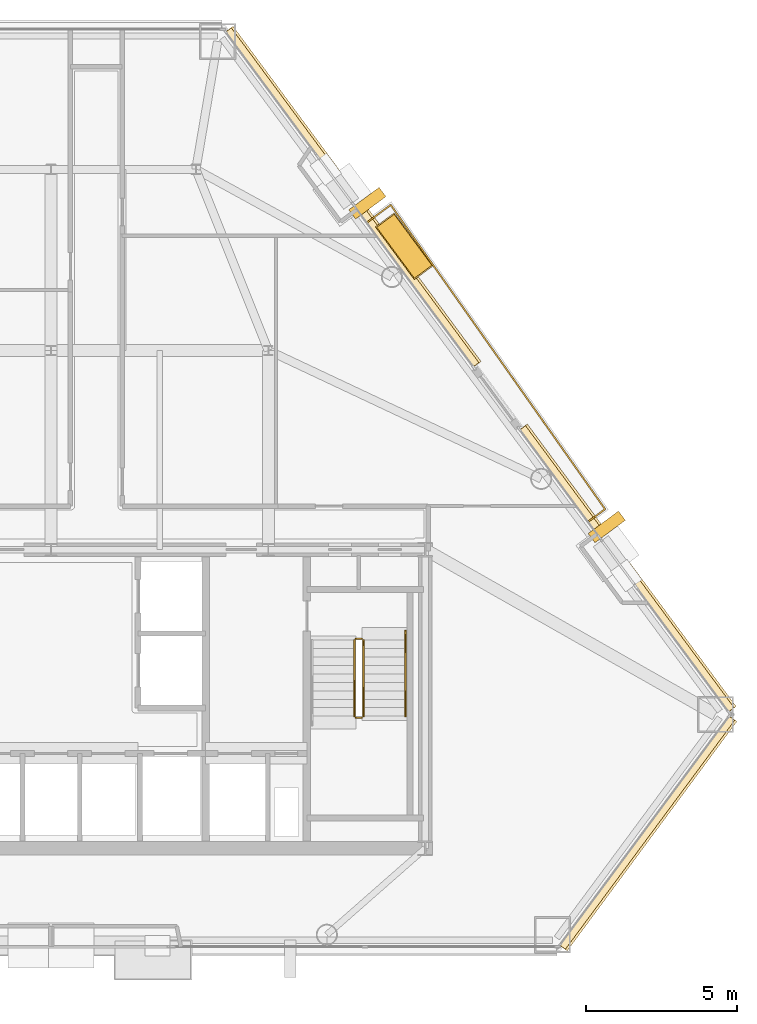
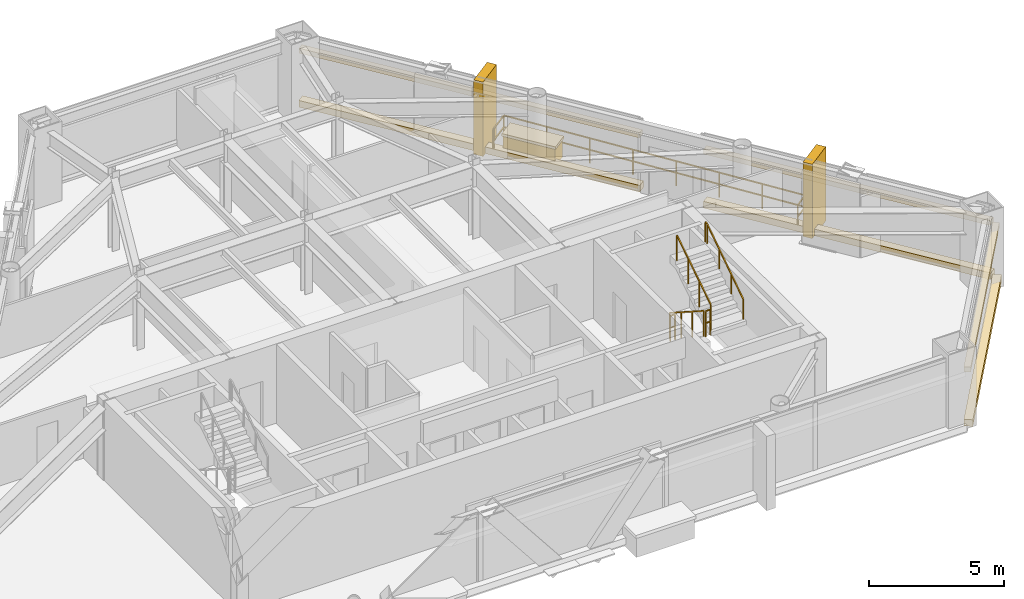
# One storey, part 11 of 11: 10 coverings, 6 railings.
"""IFC4 building model written with IfcOpenShell, lengths in metres."""

from ifc_helpers import new_model, si_unit, direction, frame, origin, origin_2d, place, context, subcontext, project, spatial, rectangle, extrude, material, layer, layer_set, type_object, element, save


model = new_model("IFC4")

# Units and contexts
model_context = context("Model", 3, precision=1e-05, world=origin(), true_north=direction((0.0, 1.0)))
body_context = subcontext(model_context, "Body", "Model", "MODEL_VIEW")
ifc_project = project(units=[si_unit("LENGTHUNIT", "METRE"), si_unit("AREAUNIT", "SQUARE_METRE"), si_unit("VOLUMEUNIT", "CUBIC_METRE"), si_unit("PLANEANGLEUNIT", "RADIAN"), si_unit("MASSUNIT", "GRAM", prefix="KILO")], contexts=[model_context])

# Site, building, storey
site_placement = place(None, origin())
site = spatial("IfcSite", under=ifc_project, at=site_placement, CompositionType="ELEMENT")
building_placement = place(site_placement, origin())
building = spatial("IfcBuilding", under=site, at=building_placement, Name="Talgorran Terracotta Tower", CompositionType="ELEMENT")
storey_placement = place(building_placement, frame((0.0, 0.0, 114.0)))
storey = spatial("IfcBuildingStorey", under=building, at=storey_placement, Name="L29", CompositionType="ELEMENT", Elevation=114.0)

# Coverings
ifc_material_1 = material(Name="Kiln-Fired Terracotta Ochre Ceramic", Category="masonry")
ifc_layer_1 = layer(ifc_material_1, 0.179931640625, Name="COV_BAGUETTE_TERRACOTTA_SCREEN")
ifc_layer_set_1 = layer_set([ifc_layer_1], Name="Kiln-Fired Terracotta Ochre Ceramic")
covering_type_1 = type_object("IfcCoveringType", Name="COV_BAGUETTE_TERRACOTTA_SCREEN", PredefinedType="CLADDING", material=ifc_layer_set_1)
covering_1_placement = place(storey_placement, frame((19.748291015625, -13.572021484375, 2.41015625), z_axis=(0.0, 0.0, 1.0), x_axis=(0.594640382106, 0.803991800934, 0.0)))
element("IfcCovering", 1, at=covering_1_placement, inside=storey, type_object=covering_type_1, Name="L29 Terracotta Baguette Solar Screen Assembly F2", PredefinedType="CLADDING", context=body_context, shape_type="SweptSolid", body=[
    extrude(rectangle(XDim=9.43896484375, YDim=0.260009765625, at=origin_2d()), origin(), (0.0, 0.0, 1.0), 0.219970703125),
])
covering_2_placement = place(storey_placement, frame((19.075927734375, -4.842529296875, 2.41015625), z_axis=(0.0, 0.0, 1.0), x_axis=(-0.594640382106, 0.803991800934, 0.0)))
element("IfcCovering", 2, at=covering_2_placement, inside=storey, type_object=covering_type_1, Name="L29 Terracotta Baguette Solar Screen Assembly F40", PredefinedType="CLADDING", context=body_context, shape_type="SweptSolid", body=[
    extrude(rectangle(XDim=11.62060546875, YDim=0.260009765625, at=origin_2d()), origin(), (0.0, 0.0, 1.0), 0.219970703125),
])
covering_3_placement = place(storey_placement, frame((9.972412109375, 7.466064453125, 2.41015625), z_axis=(0.0, 0.0, 1.0), x_axis=(-0.594640382106, 0.803991800934, 0.0)))
element("IfcCovering", 3, at=covering_3_placement, inside=storey, type_object=covering_type_1, Name="L29 Terracotta Baguette Solar Screen Assembly F41", PredefinedType="CLADDING", context=body_context, shape_type="SweptSolid", body=[
    extrude(rectangle(XDim=13.798095703125, YDim=0.260009765625, at=origin_2d()), origin(), (0.0, 0.0, 1.0), 0.219970703125),
])
ifc_material_2 = material(Name="Honed Limestone and Terracotta Planter", Category="masonry")
ifc_layer_2 = layer(ifc_material_2, 0.1201171875, Name="COV_PLANTER_BOX")
ifc_layer_set_2 = layer_set([ifc_layer_2], Name="Honed Limestone and Terracotta Planter")
covering_type_2 = type_object("IfcCoveringType", Name="COV_PLANTER_BOX", PredefinedType="CLADDING", material=ifc_layer_set_2)
covering_4_placement = place(storey_placement, frame((11.70703125, 5.852294921875, -0.02001953125), z_axis=(0.0, 0.0, 1.0), x_axis=(-0.594640382106, 0.803991800934, 0.0)))
element("IfcCovering", 4, at=covering_4_placement, inside=storey, type_object=covering_type_2, Name="L29 Staggered Balcony Planter Box BAL-NE", PredefinedType="CLADDING", context=body_context, shape_type="SweptSolid", body=[
    extrude(rectangle(XDim=2.10009765625, YDim=0.719970703125, at=origin_2d()), origin(), (0.0, 0.0, 1.0), 0.860107421875),
])
ifc_material_3 = material(Name="Kiln-Fired Terracotta Planter Rim", Category="masonry")
ifc_layer_3 = layer(ifc_material_3, 0.10009765625, Name="COV_PLANTER_RIM")
ifc_layer_set_3 = layer_set([ifc_layer_3], Name="Kiln-Fired Terracotta Planter Rim")
covering_type_3 = type_object("IfcCoveringType", Name="COV_PLANTER_RIM", PredefinedType="CLADDING", material=ifc_layer_set_3)
covering_5_placement = place(storey_placement, frame((11.70703125, 5.852294921875, 0.800048828125), z_axis=(0.0, 0.0, 1.0), x_axis=(-0.594640382106, 0.803991800934, 0.0)))
element("IfcCovering", 5, at=covering_5_placement, inside=storey, type_object=covering_type_3, Name="L29 Balcony Planter Terracotta Rim BAL-NE", PredefinedType="CLADDING", context=body_context, shape_type="SweptSolid", body=[
    extrude(rectangle(XDim=2.179931640625, YDim=0.780029296875, at=origin_2d()), origin(), (0.0, 0.0, 1.0), 0.1201171875),
])
ifc_material_4 = material(Name="Honed Limestone Cladding", Category="masonry")
ifc_layer_4 = layer(ifc_material_4, 0.094970703125, Name="COV_PORTAL_LIME")
ifc_layer_set_4 = layer_set([ifc_layer_4], Name="Honed Limestone Cladding")
covering_type_4 = type_object("IfcCoveringType", Name="COV_PORTAL_LIME", PredefinedType="CLADDING", material=ifc_layer_set_4)
covering_6_placement = place(storey_placement, frame((18.4169921875, -3.447021484375, -0.050048828125), z_axis=(0.0, 0.0, 1.0), x_axis=(-0.594640382106, 0.803991800934, 0.0)))
element("IfcCovering", 6, at=covering_6_placement, inside=storey, type_object=covering_type_4, Name="L29 White Striped Portal Fin F3-1", PredefinedType="CLADDING", context=body_context, shape_type="SweptSolid", body=[
    extrude(rectangle(XDim=0.3798828125, YDim=1.25, at=origin_2d()), origin(), (0.0, 0.0, 1.0), 3.3701171875),
])
ifc_material_5 = material(Name="Kiln-Fired Terracotta Cladding", Category="masonry")
ifc_layer_5 = layer(ifc_material_5, 0.090087890625, Name="COV_PORTAL_TERRA")
ifc_layer_set_5 = layer_set([ifc_layer_5], Name="Kiln-Fired Terracotta Cladding")
covering_type_5 = type_object("IfcCoveringType", Name="COV_PORTAL_TERRA", PredefinedType="CLADDING", material=ifc_layer_set_5)
covering_7_placement = place(storey_placement, frame((19.780517578125, -13.595703125, -0.0400390625), z_axis=(0.0, 0.0, 1.0), x_axis=(0.594640382106, 0.803991800934, 0.0)))
element("IfcCovering", 7, at=covering_7_placement, inside=storey, type_object=covering_type_5, Name="L29 Striped Postmodern Portal Cladding Band F2", PredefinedType="CLADDING", context=body_context, shape_type="SweptSolid", body=[
    extrude(rectangle(XDim=9.458984375, YDim=0.340087890625, at=origin_2d()), origin(), (0.0, 0.0, 1.0), 0.300048828125),
])
covering_8_placement = place(storey_placement, frame((19.108154296875, -4.81884765625, -0.0400390625), z_axis=(0.0, 0.0, 1.0), x_axis=(-0.594640382106, 0.803991800934, 0.0)))
element("IfcCovering", 8, at=covering_8_placement, inside=storey, type_object=covering_type_5, Name="L29 Striped Postmodern Portal Cladding Band F40", PredefinedType="CLADDING", context=body_context, shape_type="SweptSolid", body=[
    extrude(rectangle(XDim=11.640625, YDim=0.340087890625, at=origin_2d()), origin(), (0.0, 0.0, 1.0), 0.300048828125),
])
covering_9_placement = place(storey_placement, frame((10.004638671875, 7.48974609375, -0.0400390625), z_axis=(0.0, 0.0, 1.0), x_axis=(-0.594640382106, 0.803991800934, 0.0)))
element("IfcCovering", 9, at=covering_9_placement, inside=storey, type_object=covering_type_5, Name="L29 Striped Postmodern Portal Cladding Band F41", PredefinedType="CLADDING", context=body_context, shape_type="SweptSolid", body=[
    extrude(rectangle(XDim=13.818115234375, YDim=0.340087890625, at=origin_2d()), origin(), (0.0, 0.0, 1.0), 0.300048828125),
])
covering_10_placement = place(storey_placement, frame((10.483154296875, 7.280029296875, -0.050048828125), z_axis=(0.0, 0.0, 1.0), x_axis=(-0.594640382106, 0.803991800934, 0.0)))
element("IfcCovering", 10, at=covering_10_placement, inside=storey, type_object=covering_type_5, Name="L29 Terracotta Striped Portal Fin F3-2", PredefinedType="CLADDING", context=body_context, shape_type="SweptSolid", body=[
    extrude(rectangle(XDim=0.3798828125, YDim=1.25, at=origin_2d()), origin(), (0.0, 0.0, 1.0), 3.3701171875),
])

# Railings
ifc_material_6 = material(Name="Laminated Glass and Stainless Steel 316", Category="steel")
railing_type_1 = type_object("IfcRailingType", Name="RL_BALCONY_1150", PredefinedType="BALUSTRADE", material=ifc_material_6)
railing_1_placement = place(storey_placement, frame((17.810791015625, -3.266357421875, 0.0)))
element("IfcRailing", 11, at=railing_1_placement, inside=storey, type_object=railing_type_1, Name="RL-L29-BAL-BAL-NE", PredefinedType="BALUSTRADE", context=body_context, shape_type="SweptSolid", body=[
    extrude(rectangle(XDim=0.048095703125, YDim=0.048095703125, at=origin_2d()), frame((0.0, 0.0, 1.1259765625), z_axis=(0.803961215762, 0.594681732989, 0.0), x_axis=(-0.594681732989, 0.803961215762, 0.0)), (0.0, 0.0, 1.0), 0.684814453125),
    extrude(rectangle(XDim=0.048095703125, YDim=0.048095703125, at=origin_2d()), frame((0.0, 0.0, 0.597900390625), z_axis=(0.803961215762, 0.594681732989, 0.0), x_axis=(-0.594681732989, 0.803961215762, 0.0)), (0.0, 0.0, 1.0), 0.684814453125),
    extrude(rectangle(XDim=0.048095703125, YDim=0.048095703125, at=origin_2d()), frame((0.550537109375, 0.4072265625, 1.1259765625), z_axis=(-0.576034100729, 0.817425663163, 0.0), x_axis=(-0.817425663163, -0.576034100729, 0.0)), (0.0, 0.0, 1.0), 12.333984375),
    extrude(rectangle(XDim=0.048095703125, YDim=0.048095703125, at=origin_2d()), frame((0.550537109375, 0.4072265625, 0.597900390625), z_axis=(-0.576034100729, 0.817425663163, 0.0), x_axis=(-0.817425663163, -0.576034100729, 0.0)), (0.0, 0.0, 1.0), 12.333984375),
    extrude(rectangle(XDim=0.048095703125, YDim=0.048095703125, at=origin_2d()), frame((-6.55419921875, 10.4892578125, 1.1259765625), z_axis=(-0.804008335653, -0.594618025458, 0.0), x_axis=(0.594618025458, -0.804008335653, 0.0)), (0.0, 0.0, 1.0), 0.9677734375),
    extrude(rectangle(XDim=0.048095703125, YDim=0.048095703125, at=origin_2d()), frame((-6.55419921875, 10.4892578125, 0.597900390625), z_axis=(-0.804008335653, -0.594618025458, 0.0), x_axis=(0.594618025458, -0.804008335653, 0.0)), (0.0, 0.0, 1.0), 0.9677734375),
    extrude(rectangle(XDim=0.0419921875, YDim=0.0419921875, at=origin_2d()), origin(), (0.0, 0.0, 1.0), 1.101806640625),
    extrude(rectangle(XDim=0.0419921875, YDim=0.0419921875, at=origin_2d()), frame((0.550537109375, 0.4072265625, 0.0)), (0.0, 0.0, 1.0), 1.101806640625),
    extrude(rectangle(XDim=0.0419921875, YDim=0.0419921875, at=origin_2d()), frame((-0.46435546875, 1.847412109375, 0.0)), (0.0, 0.0, 1.0), 1.101806640625),
    extrude(rectangle(XDim=0.0419921875, YDim=0.0419921875, at=origin_2d()), frame((-1.4794921875, 3.287841796875, 0.0)), (0.0, 0.0, 1.0), 1.101806640625),
    extrude(rectangle(XDim=0.0419921875, YDim=0.0419921875, at=origin_2d()), frame((-2.494384765625, 4.72802734375, 0.0)), (0.0, 0.0, 1.0), 1.101806640625),
    extrude(rectangle(XDim=0.0419921875, YDim=0.0419921875, at=origin_2d()), frame((-3.50927734375, 6.16845703125, 0.0)), (0.0, 0.0, 1.0), 1.101806640625),
    extrude(rectangle(XDim=0.0419921875, YDim=0.0419921875, at=origin_2d()), frame((-4.524169921875, 7.608642578125, 0.0)), (0.0, 0.0, 1.0), 1.101806640625),
    extrude(rectangle(XDim=0.0419921875, YDim=0.0419921875, at=origin_2d()), frame((-5.539306640625, 9.049072265625, 0.0)), (0.0, 0.0, 1.0), 1.101806640625),
    extrude(rectangle(XDim=0.0419921875, YDim=0.0419921875, at=origin_2d()), frame((-6.55419921875, 10.4892578125, 0.0)), (0.0, 0.0, 1.0), 1.101806640625),
    extrude(rectangle(XDim=0.0419921875, YDim=0.0419921875, at=origin_2d()), frame((-7.332275390625, 9.913818359375, 0.0)), (0.0, 0.0, 1.0), 1.101806640625),
])
ifc_material_7 = material(Name="Steel S355 (300PLUS)", Category="steel")
railing_type_2 = type_object("IfcRailingType", Name="RL_HANDRAIL_920", PredefinedType="HANDRAIL", material=ifc_material_7)
railing_2_placement = place(storey_placement, frame((11.75, -9.719970703125, 1.97998046875)))
element("IfcRailing", 12, at=railing_2_placement, inside=storey, type_object=railing_type_2, Name="L29 ST-02 stair handrail 2", PredefinedType="HANDRAIL", context=body_context, shape_type="SweptSolid", body=[
    extrude(rectangle(XDim=0.048095703125, YDim=0.048095703125, at=origin_2d()), frame((0.0, 0.0, 0.89599609375), z_axis=(0.0, 0.832038719335, 0.554717558338), x_axis=(-1.0, 0.0, 0.0)), (0.0, 0.0, 1.0), 3.244873046875),
    extrude(rectangle(XDim=0.048095703125, YDim=0.048095703125, at=origin_2d()), frame((0.0, 2.699951171875, 2.69580078125), z_axis=(0.0, 1.0, 0.0), x_axis=(-1.0, 0.0, 0.0)), (0.0, 0.0, 1.0), 0.1201171875),
    extrude(rectangle(XDim=0.0419921875, YDim=0.0419921875, at=origin_2d()), origin(), (0.0, 0.0, 1.0), 0.871826171875),
    extrude(rectangle(XDim=0.0419921875, YDim=0.0419921875, at=origin_2d()), frame((0.0, 0.89990234375, 0.60009765625)), (0.0, 0.0, 1.0), 0.871826171875),
    extrude(rectangle(XDim=0.0419921875, YDim=0.0419921875, at=origin_2d()), frame((0.0, 1.800048828125, 1.199951171875)), (0.0, 0.0, 1.0), 0.871826171875),
    extrude(rectangle(XDim=0.0419921875, YDim=0.0419921875, at=origin_2d()), frame((0.0, 2.699951171875, 1.800048828125)), (0.0, 0.0, 1.0), 0.871826171875),
    extrude(rectangle(XDim=0.0419921875, YDim=0.0419921875, at=origin_2d()), frame((0.0, 2.820068359375, 1.800048828125)), (0.0, 0.0, 1.0), 0.871826171875),
])
railing_type_3 = type_object("IfcRailingType", Name="RL_STAIR_GUARD", PredefinedType="GUARDRAIL", material=ifc_material_7)
railing_3_placement = place(storey_placement, frame((10.050048828125, -7.199951171875, 0.179931640625)))
element("IfcRailing", 13, at=railing_3_placement, inside=storey, type_object=railing_type_3, Name="L29 ST-02 stair guard 1", PredefinedType="GUARDRAIL", context=body_context, shape_type="SweptSolid", body=[
    extrude(rectangle(XDim=0.048095703125, YDim=0.048095703125, at=origin_2d()), frame((0.0, 0.0, 1.15576171875), z_axis=(0.0, -0.841162588446, 0.540782303519), x_axis=(1.0, 0.0, 0.0)), (0.0, 0.0, 1.0), 2.995849609375),
    extrude(rectangle(XDim=0.0419921875, YDim=0.0419921875, at=origin_2d()), origin(), (0.0, 0.0, 1.0), 1.1318359375),
    extrude(rectangle(XDim=0.0419921875, YDim=0.0419921875, at=origin_2d()), frame((0.0, -0.840087890625, 0.5400390625)), (0.0, 0.0, 1.0), 1.1318359375),
    extrude(rectangle(XDim=0.0419921875, YDim=0.0419921875, at=origin_2d()), frame((0.0, -1.679931640625, 1.080078125)), (0.0, 0.0, 1.0), 1.1318359375),
    extrude(rectangle(XDim=0.0419921875, YDim=0.0419921875, at=origin_2d()), frame((0.0, -2.52001953125, 1.6201171875)), (0.0, 0.0, 1.0), 1.1318359375),
])
railing_4_placement = place(storey_placement, frame((10.10009765625, -9.77001953125, 1.800048828125)))
element("IfcRailing", 14, at=railing_4_placement, inside=storey, type_object=railing_type_3, Name="L29 ST-02 stair guard 2", PredefinedType="GUARDRAIL", context=body_context, shape_type="SweptSolid", body=[
    extrude(rectangle(XDim=0.048095703125, YDim=0.048095703125, at=origin_2d()), frame((0.0, 0.0, 1.15576171875), z_axis=(1.0, 0.0, 0.0), x_axis=(0.0, 1.0, 0.0)), (0.0, 0.0, 1.0), 0.199951171875),
    extrude(rectangle(XDim=0.048095703125, YDim=0.048095703125, at=origin_2d()), frame((0.0, 0.0, 0.613525390625), z_axis=(1.0, 0.0, 0.0), x_axis=(0.0, 1.0, 0.0)), (0.0, 0.0, 1.0), 0.199951171875),
    extrude(rectangle(XDim=0.0419921875, YDim=0.0419921875, at=origin_2d()), origin(), (0.0, 0.0, 1.0), 1.1318359375),
    extrude(rectangle(XDim=0.0419921875, YDim=0.0419921875, at=origin_2d()), frame((0.199951171875, 0.0, 0.0)), (0.0, 0.0, 1.0), 1.1318359375),
])
railing_5_placement = place(storey_placement, frame((10.35009765625, -9.719970703125, 1.97998046875)))
element("IfcRailing", 15, at=railing_5_placement, inside=storey, type_object=railing_type_3, Name="L29 ST-02 stair guard 3", PredefinedType="GUARDRAIL", context=body_context, shape_type="SweptSolid", body=[
    extrude(rectangle(XDim=0.048095703125, YDim=0.048095703125, at=origin_2d()), frame((0.0, 0.0, 1.15576171875), z_axis=(0.0, 0.841162588446, 0.540782303519), x_axis=(-1.0, 0.0, 0.0)), (0.0, 0.0, 1.0), 2.995849609375),
    extrude(rectangle(XDim=0.0419921875, YDim=0.0419921875, at=origin_2d()), origin(), (0.0, 0.0, 1.0), 1.1318359375),
    extrude(rectangle(XDim=0.0419921875, YDim=0.0419921875, at=origin_2d()), frame((0.0, 0.840087890625, 0.5400390625)), (0.0, 0.0, 1.0), 1.1318359375),
    extrude(rectangle(XDim=0.0419921875, YDim=0.0419921875, at=origin_2d()), frame((0.0, 1.679931640625, 1.080078125)), (0.0, 0.0, 1.0), 1.1318359375),
    extrude(rectangle(XDim=0.0419921875, YDim=0.0419921875, at=origin_2d()), frame((0.0, 2.52001953125, 1.6201171875)), (0.0, 0.0, 1.0), 1.1318359375),
])
railing_6_placement = place(storey_placement, frame((10.10009765625, -7.14990234375, 0.0)))
element("IfcRailing", 16, at=railing_6_placement, inside=storey, type_object=railing_type_3, Name="L29 ST-02 stair guard 4", PredefinedType="GUARDRAIL", context=body_context, shape_type="SweptSolid", body=[
    extrude(rectangle(XDim=0.048095703125, YDim=0.048095703125, at=origin_2d()), frame((0.0, 0.0, 1.15576171875), z_axis=(1.0, 0.0, 0.0), x_axis=(0.0, 1.0, 0.0)), (0.0, 0.0, 1.0), 0.199951171875),
    extrude(rectangle(XDim=0.048095703125, YDim=0.048095703125, at=origin_2d()), frame((0.0, 0.0, 0.613525390625), z_axis=(1.0, 0.0, 0.0), x_axis=(0.0, 1.0, 0.0)), (0.0, 0.0, 1.0), 0.199951171875),
    extrude(rectangle(XDim=0.0419921875, YDim=0.0419921875, at=origin_2d()), origin(), (0.0, 0.0, 1.0), 1.1318359375),
    extrude(rectangle(XDim=0.0419921875, YDim=0.0419921875, at=origin_2d()), frame((0.199951171875, 0.0, 0.0)), (0.0, 0.0, 1.0), 1.1318359375),
])

save(model, "model.ifc")
